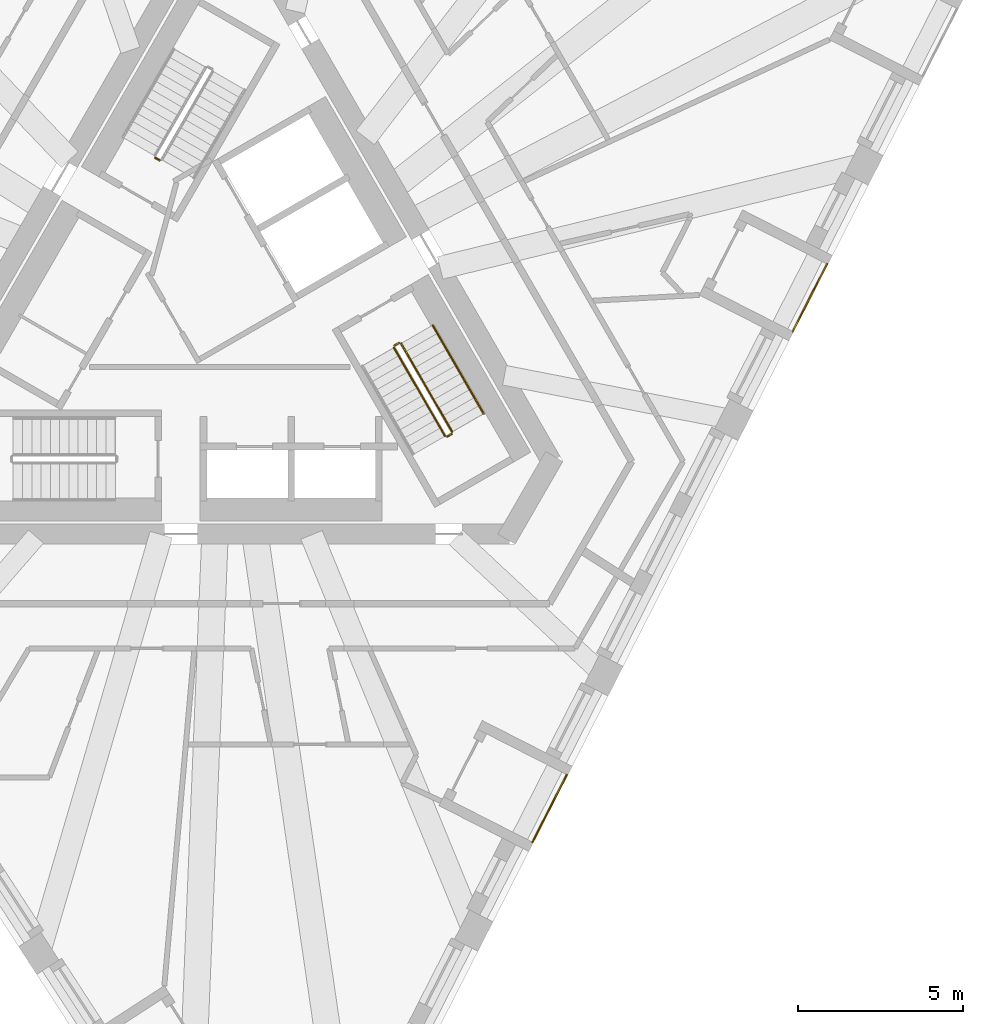
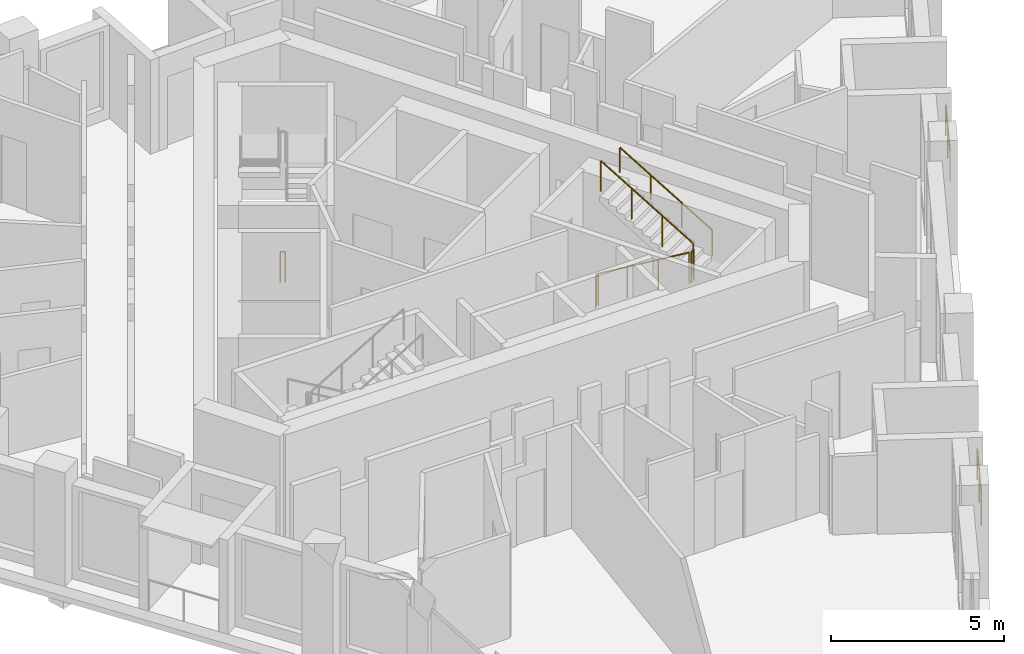
# One storey, part 11 of 13: 8 railings.
"""IFC4 building model written with IfcOpenShell, lengths in metres."""

from ifc_helpers import new_model, si_unit, direction, frame, origin, origin_2d, place, context, subcontext, project, spatial, circle, extrude, material, type_object, element, save


model = new_model("IFC4")

# Units and contexts
model_context = context("Model", 3, precision=1e-05, world=origin(), true_north=direction((0.0, 1.0)))
body_context = subcontext(model_context, "Body", "Model", "MODEL_VIEW")
ifc_project = project(units=[si_unit("LENGTHUNIT", "METRE"), si_unit("AREAUNIT", "SQUARE_METRE"), si_unit("VOLUMEUNIT", "CUBIC_METRE"), si_unit("PLANEANGLEUNIT", "RADIAN"), si_unit("MASSUNIT", "GRAM", prefix="KILO")], contexts=[model_context])

# Site, building, storey
site_placement = place(None, origin())
site = spatial("IfcSite", under=ifc_project, at=site_placement, CompositionType="ELEMENT")
building_placement = place(site_placement, origin())
building = spatial("IfcBuilding", under=site, at=building_placement, Name="Tramontana Tower", CompositionType="ELEMENT")
storey_placement = place(building_placement, frame((0.0, 0.0, 286.39990234375)))
storey = spatial("IfcBuildingStorey", under=building, at=storey_placement, Name="L67", CompositionType="ELEMENT", Elevation=286.39990234375)

# Railings
ifc_material_1 = material(Name="Laminated glass balustrade", Category="glass")
railing_type_1 = type_object("IfcRailingType", Name="GD1 Loggia glass balustrade 1100", PredefinedType="BALUSTRADE", material=ifc_material_1)
railing_1_placement = place(storey_placement, frame((9.3330078125, -15.75830078125, 0.0)))
element("IfcRailing", 1, at=railing_1_placement, inside=storey, type_object=railing_type_1, Name="Loggia balustrade L67 G7S1.4", PredefinedType="BALUSTRADE", context=body_context, shape_type="SweptSolid", body=[
    extrude(circle(Radius=0.02392578125, at=origin_2d()), frame((0.0, 0.0, 1.076171875), z_axis=(0.45403292632, 0.890984905494, 0.0), x_axis=(-0.890984905494, 0.45403292632, 0.0)), (0.0, 0.0, 1.0), 2.286865234375),
    extrude(circle(Radius=0.02099609375, at=origin_2d()), origin(), (0.0, 0.0, 1.0), 1.052001953125),
    extrude(circle(Radius=0.02099609375, at=origin_2d()), frame((0.51904296875, 1.018798828125, 0.0)), (0.0, 0.0, 1.0), 1.052001953125),
    extrude(circle(Radius=0.02099609375, at=origin_2d()), frame((1.038330078125, 2.03759765625, 0.0)), (0.0, 0.0, 1.0), 1.052001953125),
])
railing_2_placement = place(storey_placement, frame((17.196533203125, -0.32568359375, 0.0)))
element("IfcRailing", 2, at=railing_2_placement, inside=storey, type_object=railing_type_1, Name="Loggia balustrade L67 G7S1.10", PredefinedType="BALUSTRADE", context=body_context, shape_type="SweptSolid", body=[
    extrude(circle(Radius=0.02392578125, at=origin_2d()), frame((0.0, 0.0, 1.076171875), z_axis=(0.453948171533, 0.89102809022, 0.0), x_axis=(-0.89102809022, 0.453948171533, 0.0)), (0.0, 0.0, 1.0), 2.286865234375),
    extrude(circle(Radius=0.02099609375, at=origin_2d()), origin(), (0.0, 0.0, 1.0), 1.052001953125),
    extrude(circle(Radius=0.02099609375, at=origin_2d()), frame((0.51904296875, 1.018798828125, 0.0)), (0.0, 0.0, 1.0), 1.052001953125),
    extrude(circle(Radius=0.02099609375, at=origin_2d()), frame((1.0380859375, 2.03759765625, 0.0)), (0.0, 0.0, 1.0), 1.052001953125),
])
ifc_material_2 = material(Name="Painted steel", Category="steel")
railing_type_2 = type_object("IfcRailingType", Name="STAIR GUARD 1100", PredefinedType="GUARDRAIL", material=ifc_material_2)
railing_3_placement = place(storey_placement, frame((-1.935791015625, 4.84716796875, 0.0)))
element("IfcRailing", 3, at=railing_3_placement, inside=storey, type_object=railing_type_2, Name="L67 ST1 stair guard 4", PredefinedType="GUARDRAIL", context=body_context, shape_type="SweptSolid", body=[
    extrude(circle(Radius=0.02392578125, at=origin_2d()), frame((0.0, 0.0, 1.076171875), z_axis=(-0.865426285481, 0.501036270542, 0.0), x_axis=(-0.501036270542, -0.865426285481, 0.0)), (0.0, 0.0, 1.0), 0.150146484375),
    extrude(circle(Radius=0.02099609375, at=origin_2d()), origin(), (0.0, 0.0, 1.0), 1.052001953125),
    extrude(circle(Radius=0.02099609375, at=origin_2d()), frame((-0.1298828125, 0.0751953125, 0.0)), (0.0, 0.0, 1.0), 1.052001953125),
])
railing_4_placement = place(storey_placement, frame((5.1474609375, -0.815673828125, 0.166748046875)))
element("IfcRailing", 4, at=railing_4_placement, inside=storey, type_object=railing_type_2, Name="L67 ST3 stair guard 1", PredefinedType="GUARDRAIL", context=body_context, shape_type="SweptSolid", body=[
    extrude(circle(Radius=0.02392578125, at=origin_2d()), frame((0.0, 0.0, 1.076171875), z_axis=(0.429671193721, -0.744159446956, 0.511477646425), x_axis=(0.866010015463, 0.500026652407, 0.0)), (0.0, 0.0, 1.0), 3.584228515625),
    extrude(circle(Radius=0.02099609375, at=origin_2d()), origin(), (0.0, 0.0, 1.0), 1.052001953125),
    extrude(circle(Radius=0.02099609375, at=origin_2d()), frame((0.513427734375, -0.88916015625, 0.611083984375)), (0.0, 0.0, 1.0), 1.052001953125),
    extrude(circle(Radius=0.02099609375, at=origin_2d()), frame((1.026611328125, -1.778076171875, 1.22216796875)), (0.0, 0.0, 1.0), 1.052001953125),
    extrude(circle(Radius=0.02099609375, at=origin_2d()), frame((1.5400390625, -2.667236328125, 1.833251953125)), (0.0, 0.0, 1.0), 1.052001953125),
])
railing_5_placement = place(storey_placement, frame((6.90380859375, -3.35791015625, 2.166748046875)))
element("IfcRailing", 5, at=railing_5_placement, inside=storey, type_object=railing_type_2, Name="L67 ST3 stair guard 2", PredefinedType="GUARDRAIL", context=body_context, shape_type="SweptSolid", body=[
    extrude(circle(Radius=0.02392578125, at=origin_2d()), frame((0.0, 0.0, 1.076171875), z_axis=(-0.429615651263, 0.74418122563, 0.511492615401), x_axis=(-0.866044340336, -0.499967199496, 0.0)), (0.0, 0.0, 1.0), 3.584228515625),
    extrude(circle(Radius=0.02099609375, at=origin_2d()), origin(), (0.0, 0.0, 1.0), 1.052001953125),
    extrude(circle(Radius=0.02099609375, at=origin_2d()), frame((-0.51318359375, 0.88916015625, 0.611083984375)), (0.0, 0.0, 1.0), 1.052001953125),
    extrude(circle(Radius=0.02099609375, at=origin_2d()), frame((-1.026611328125, 1.778076171875, 1.22216796875)), (0.0, 0.0, 1.0), 1.052001953125),
    extrude(circle(Radius=0.02099609375, at=origin_2d()), frame((-1.539794921875, 2.667236328125, 1.833251953125)), (0.0, 0.0, 1.0), 1.052001953125),
])
for number, where, name in (
    (6, (6.755615234375, -3.501220703125, 2.0), "L67 ST3 stair guard 3"),
    (7, (5.165771484375, -0.747314453125, 0.0), "L67 ST3 stair guard 4"),
):
    element("IfcRailing", number, at=place(storey_placement, frame(where)), inside=storey, type_object=railing_type_2, Name=name, PredefinedType="GUARDRAIL", context=body_context, shape_type="SweptSolid", body=[
        extrude(circle(Radius=0.02392578125, at=origin_2d()), frame((0.0, 0.0, 1.076171875), z_axis=(0.866131372301, 0.499816412211, 0.0), x_axis=(-0.499816412211, 0.866131372301, 0.0)), (0.0, 0.0, 1.0), 0.14990234375),
        extrude(circle(Radius=0.02099609375, at=origin_2d()), origin(), (0.0, 0.0, 1.0), 1.052001953125),
        extrude(circle(Radius=0.02099609375, at=origin_2d()), frame((0.1298828125, 0.074951171875, 0.0)), (0.0, 0.0, 1.0), 1.052001953125),
    ])
ifc_material_3 = material(Name="Painted steel", Category="steel")
railing_type_3 = type_object("IfcRailingType", Name="STAIR HANDRAIL 900", PredefinedType="HANDRAIL", material=ifc_material_3)
railing_6_placement = place(storey_placement, frame((7.8564453125, -2.807861328125, 2.166748046875)))
element("IfcRailing", 8, at=railing_6_placement, inside=storey, type_object=railing_type_3, Name="L67 ST3 stair handrail 2", PredefinedType="HANDRAIL", context=body_context, shape_type="SweptSolid", body=[
    extrude(circle(Radius=0.02392578125, at=origin_2d()), frame((0.0, 0.0, 0.8759765625), z_axis=(-0.429615651263, 0.74418122563, 0.511492615401), x_axis=(-0.866044340336, -0.499967199496, 0.0)), (0.0, 0.0, 1.0), 3.584228515625),
    extrude(circle(Radius=0.02099609375, at=origin_2d()), origin(), (0.0, 0.0, 1.0), 0.851806640625),
    extrude(circle(Radius=0.02099609375, at=origin_2d()), frame((-0.51318359375, 0.88916015625, 0.611083984375)), (0.0, 0.0, 1.0), 0.851806640625),
    extrude(circle(Radius=0.02099609375, at=origin_2d()), frame((-1.026611328125, 1.778076171875, 1.22216796875)), (0.0, 0.0, 1.0), 0.851806640625),
    extrude(circle(Radius=0.02099609375, at=origin_2d()), frame((-1.539794921875, 2.667236328125, 1.833251953125)), (0.0, 0.0, 1.0), 0.851806640625),
])

save(model, "model.ifc")
